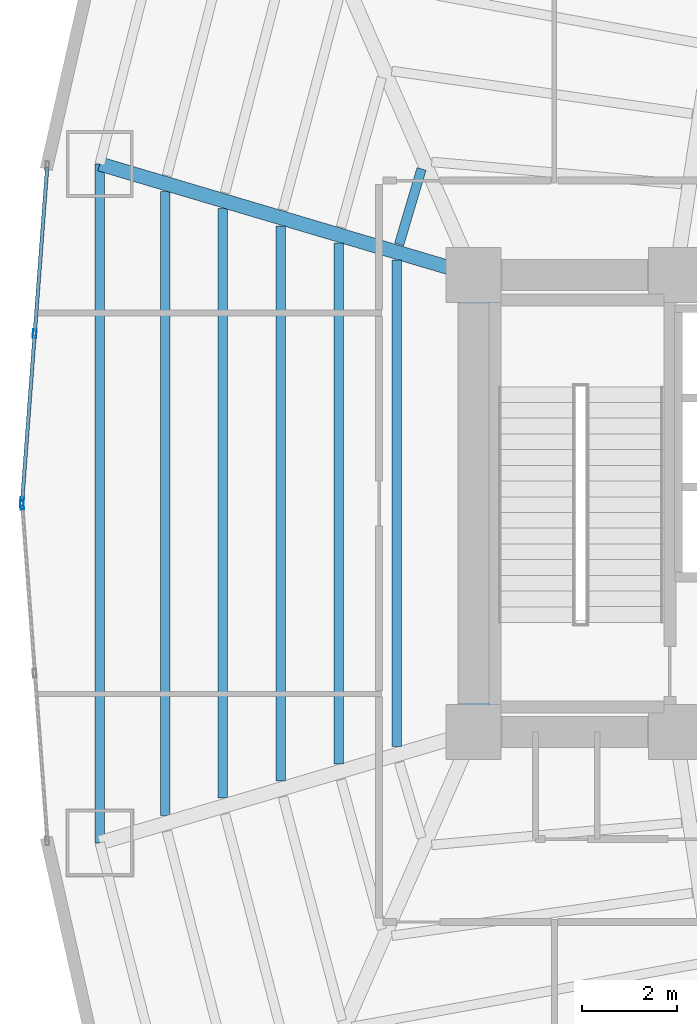
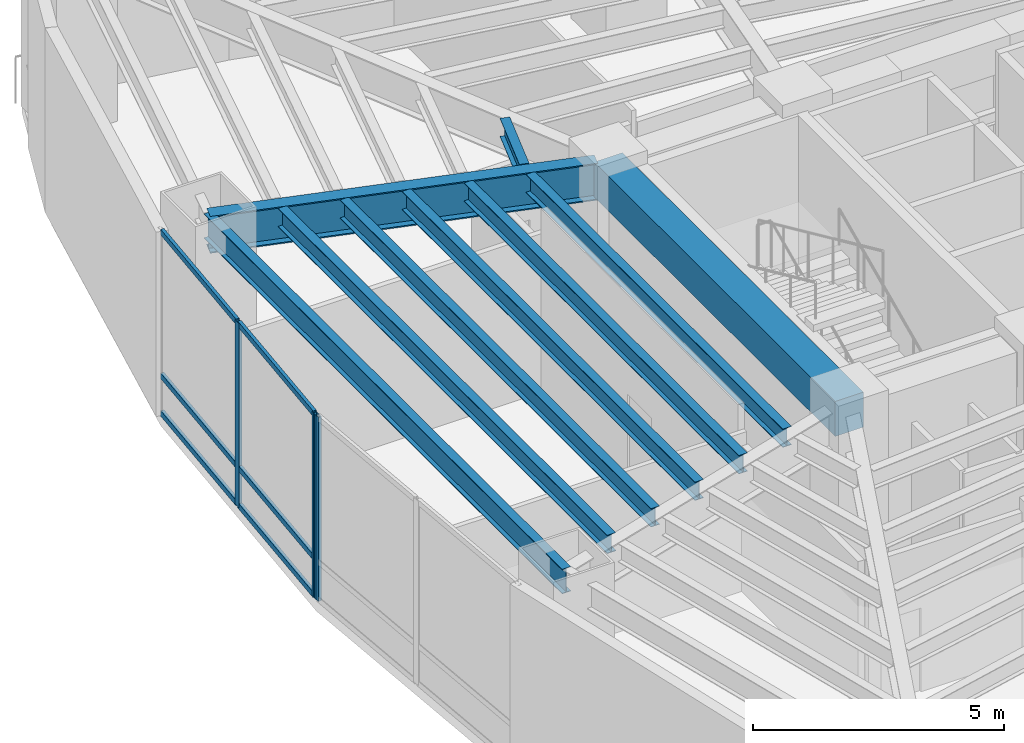
# One storey, part 7 of 18: 9 beams, 9 members, 2 elements without a shape of their own.
"""IFC4 building model written with IfcOpenShell, lengths in metres."""

from ifc_helpers import new_model, si_unit, direction, frame, origin, origin_2d, place, context, subcontext, project, spatial, rectangle, hollow_rectangle, i_section, extrude, material, layer, layer_set, material_profile, profile_set, type_object, element, aggregate, save


model = new_model("IFC4")

# Units and contexts
model_context = context("Model", 3, precision=1e-05, world=origin(), true_north=direction((0.0, 1.0)))
body_context = subcontext(model_context, "Body", "Model", "MODEL_VIEW")
ifc_project = project(units=[si_unit("LENGTHUNIT", "METRE"), si_unit("AREAUNIT", "SQUARE_METRE"), si_unit("VOLUMEUNIT", "CUBIC_METRE"), si_unit("PLANEANGLEUNIT", "RADIAN"), si_unit("MASSUNIT", "GRAM", prefix="KILO")], contexts=[model_context])

# Site, building, storey
site_placement = place(None, origin())
site = spatial("IfcSite", under=ifc_project, at=site_placement, CompositionType="ELEMENT")
building_placement = place(site_placement, origin())
building = spatial("IfcBuilding", under=site, at=building_placement, Name="Menara Vayukalpa", CompositionType="ELEMENT")
storey_placement = place(building_placement, frame((0.0, 0.0, 18.0)))
storey = spatial("IfcBuildingStorey", under=building, at=storey_placement, Name="L03", CompositionType="ELEMENT", Elevation=18.0)

# Beams
ifc_material_1 = material(Name="Concrete C60/75", Category="concrete")
ifc_material_profile_1 = material_profile(ifc_material_1, rectangle(XDim=0.64990234375, YDim=0.85009765625, at=origin_2d()), Name="RC 650x850")
ifc_profile_set_1 = profile_set([ifc_material_profile_1], Name="Concrete C60/75")
beam_type_1 = type_object("IfcBeamType", Name="BM-CB1", PredefinedType="BEAM", material=ifc_profile_set_1)
beam_1_placement = place(storey_placement, frame((17.800048828125, 17.199951171875, 4.054931640625), z_axis=(0.0, 1.0, 0.0), x_axis=(-1.0, 0.0, 0.0)))
element("IfcBeam", 1, at=beam_1_placement, inside=storey, type_object=beam_type_1, Name="L03 Core Tie Beam CBR7", PredefinedType="BEAM", context=body_context, shape_type="SweptSolid", body=[
    extrude(rectangle(XDim=0.64990234375, YDim=0.85009765625, at=origin_2d()), origin(), (0.0, 0.0, 1.0), 9.60009765625),
])
ifc_material_2 = material(Name="Steel S355", Category="steel")
ifc_material_profile_2 = material_profile(ifc_material_2, i_section(OverallWidth=0.300048828125, OverallDepth=0.89990234375, WebThickness=0.01611328125, FlangeThickness=0.028076171875, at=origin_2d()), Name="WF 900x300x16x28")
ifc_profile_set_2 = profile_set([ifc_material_profile_2], Name="Steel S355")
beam_type_2 = type_object("IfcBeamType", Name="BM-PG1", PredefinedType="BEAM", material=ifc_profile_set_2)
beam_2_placement = place(storey_placement, frame((17.560302734375, 26.87109375, 4.030029296875), z_axis=(-0.958678858065, 0.284490504409, 0.0), x_axis=(-0.284490504409, -0.958678858065, 0.0)))
element("IfcBeam", 2, at=beam_2_placement, inside=storey, type_object=beam_type_2, Name="L03 Primary Radial Girder RG05", PredefinedType="BEAM", context=body_context, shape_type="SweptSolid", body=[
    extrude(i_section(OverallWidth=0.300048828125, OverallDepth=0.89990234375, WebThickness=0.01611328125, FlangeThickness=0.028076171875, at=origin_2d()), origin(), (0.0, 0.0, 1.0), 7.936279296875),
])
ifc_material_3 = material(Name="Steel S355", Category="steel")
ifc_material_profile_3 = material_profile(ifc_material_3, i_section(OverallWidth=0.199951171875, OverallDepth=0.449951171875, WebThickness=0.009033203125, FlangeThickness=0.013916015625, at=origin_2d()), Name="WF 450x200x9x14")
ifc_profile_set_3 = profile_set([ifc_material_profile_3], Name="Steel S355")
beam_type_3 = type_object("IfcBeamType", Name="BM-SJ1", PredefinedType="JOIST", material=ifc_profile_set_3)
beam_3_placement = place(storey_placement, frame((16.70849609375, 29.0244140625, 4.2548828125), z_axis=(-0.284173863657, -0.958772765161, 0.0), x_axis=(0.958772765161, -0.284173863657, 0.0)))
element("IfcBeam", 3, at=beam_3_placement, inside=storey, type_object=beam_type_3, Name="L03 Secondary Floor Joist SJ04-1", PredefinedType="JOIST", context=body_context, shape_type="SweptSolid", body=[
    extrude(i_section(OverallWidth=0.199951171875, OverallDepth=0.449951171875, WebThickness=0.009033203125, FlangeThickness=0.013916015625, at=origin_2d()), origin(), (0.0, 0.0, 1.0), 1.652099609375),
])
beam_4_placement = place(storey_placement, frame((16.19091796875, 27.107421875, 4.2548828125), z_axis=(0.0, -1.0, 0.0), x_axis=(1.0, 0.0, 0.0)))
element("IfcBeam", 4, at=beam_4_placement, inside=storey, type_object=beam_type_3, Name="L03 Secondary Floor Joist SJ05-1", PredefinedType="JOIST", context=body_context, shape_type="SweptSolid", body=[
    extrude(i_section(OverallWidth=0.199951171875, OverallDepth=0.449951171875, WebThickness=0.009033203125, FlangeThickness=0.013916015625, at=origin_2d()), origin(), (0.0, 0.0, 1.0), 10.21484375),
])
beam_5_placement = place(storey_placement, frame((14.973388671875, 27.46875, 4.2548828125), z_axis=(0.0, -1.0, 0.0), x_axis=(1.0, 0.0, 0.0)))
element("IfcBeam", 5, at=beam_5_placement, inside=storey, type_object=beam_type_3, Name="L03 Secondary Floor Joist SJ05-2", PredefinedType="JOIST", context=body_context, shape_type="SweptSolid", body=[
    extrude(i_section(OverallWidth=0.199951171875, OverallDepth=0.449951171875, WebThickness=0.009033203125, FlangeThickness=0.013916015625, at=origin_2d()), origin(), (0.0, 0.0, 1.0), 10.9375),
])
beam_6_placement = place(storey_placement, frame((13.756103515625, 27.830078125, 4.2548828125), z_axis=(0.0, -1.0, 0.0), x_axis=(1.0, 0.0, 0.0)))
element("IfcBeam", 6, at=beam_6_placement, inside=storey, type_object=beam_type_3, Name="L03 Secondary Floor Joist SJ05-3", PredefinedType="JOIST", context=body_context, shape_type="SweptSolid", body=[
    extrude(i_section(OverallWidth=0.199951171875, OverallDepth=0.449951171875, WebThickness=0.009033203125, FlangeThickness=0.013916015625, at=origin_2d()), origin(), (0.0, 0.0, 1.0), 11.66015625),
])
beam_7_placement = place(storey_placement, frame((12.538818359375, 28.191162109375, 4.2548828125), z_axis=(0.0, -1.0, 0.0), x_axis=(1.0, 0.0, 0.0)))
element("IfcBeam", 7, at=beam_7_placement, inside=storey, type_object=beam_type_3, Name="L03 Secondary Floor Joist SJ05-4", PredefinedType="JOIST", context=body_context, shape_type="SweptSolid", body=[
    extrude(i_section(OverallWidth=0.199951171875, OverallDepth=0.449951171875, WebThickness=0.009033203125, FlangeThickness=0.013916015625, at=origin_2d()), origin(), (0.0, 0.0, 1.0), 12.38232421875),
])
beam_8_placement = place(storey_placement, frame((11.321533203125, 28.552490234375, 4.2548828125), z_axis=(0.0, -1.0, 0.0), x_axis=(1.0, 0.0, 0.0)))
element("IfcBeam", 8, at=beam_8_placement, inside=storey, type_object=beam_type_3, Name="L03 Secondary Floor Joist SJ05-5", PredefinedType="JOIST", context=body_context, shape_type="SweptSolid", body=[
    extrude(i_section(OverallWidth=0.199951171875, OverallDepth=0.449951171875, WebThickness=0.009033203125, FlangeThickness=0.013916015625, at=origin_2d()), origin(), (0.0, 0.0, 1.0), 13.10498046875),
])
ifc_material_4 = material(Name="Steel S355", Category="steel")
ifc_material_profile_4 = material_profile(ifc_material_4, i_section(OverallWidth=0.199951171875, OverallDepth=0.60009765625, WebThickness=0.010986328125, FlangeThickness=0.01708984375, at=origin_2d()), Name="WF 600x200x11x17")
ifc_profile_set_4 = profile_set([ifc_material_profile_4], Name="Steel S355")
beam_type_4 = type_object("IfcBeamType", Name="BM-SP1", PredefinedType="SPANDREL", material=ifc_profile_set_4)
beam_9_placement = place(storey_placement, frame((9.951904296875, 29.12890625, 4.179931640625), z_axis=(0.0, -1.0, 0.0), x_axis=(1.0, 0.0, 0.0)))
element("IfcBeam", 9, at=beam_9_placement, inside=storey, type_object=beam_type_4, Name="L03 Perimeter Spandrel Beam SP05", PredefinedType="SPANDREL", context=body_context, shape_type="SweptSolid", body=[
    extrude(i_section(OverallWidth=0.199951171875, OverallDepth=0.60009765625, WebThickness=0.010986328125, FlangeThickness=0.01708984375, at=origin_2d()), origin(), (0.0, 0.0, 1.0), 14.2578125),
])

# Curtain wall, members
ifc_material_5 = material(Name="Anodised Terracotta Aluminium Alloy 6063-T6", Category="masonry")
ifc_layer = layer(ifc_material_5, 0.179931640625)
ifc_layer_set = layer_set([ifc_layer], Name="Anodised Terracotta Aluminium Alloy 6063-T6")
curtain_wall_type = type_object("IfcCurtainWallType", Name="CW-CW1", PredefinedType="USERDEFINED", material=ifc_layer_set)
curtain_wall_1_placement = place(storey_placement, origin())
curtain_wall_1 = element("IfcCurtainWall", 10, at=curtain_wall_1_placement, inside=storey, type_object=curtain_wall_type, Name="L03 Podium Unitised Ribbon Curtain Wall CW1 10", ObjectType="UNITISED", PredefinedType="USERDEFINED")
ifc_material_6 = material(Name="Anodised Terracotta Aluminium Alloy 6063-T6", Category="masonry")
ifc_material_profile_5 = material_profile(ifc_material_6, hollow_rectangle(XDim=0.074951171875, YDim=0.179931640625, WallThickness=0.00390625, at=origin_2d()), Name="ALU 75x180x4")
ifc_profile_set_5 = profile_set([ifc_material_profile_5], Name="Anodised Terracotta Aluminium Alloy 6063-T6")
member_type_1 = type_object("IfcMemberType", Name="CWM-CW1", PredefinedType="MULLION", material=ifc_profile_set_5)
member_1_placement = place(storey_placement, frame((8.584716796875, 25.564453125, 0.0), z_axis=(0.0, 0.0, 1.0), x_axis=(0.997198970825, -0.074794468953, 0.0)))
member_1 = element("IfcMember", 11, at=member_1_placement, type_object=member_type_1, Name="CW1 mullion 2", PredefinedType="MULLION", context=body_context, shape_type="SweptSolid", body=[
    extrude(hollow_rectangle(XDim=0.074951171875, YDim=0.179931640625, WallThickness=0.00390625, at=origin_2d()), origin(), (0.0, 0.0, 1.0), 4.47998046875),
])
member_2_placement = place(storey_placement, frame((8.320068359375, 22.037353515625, 0.0), z_axis=(0.0, 0.0, 1.0), x_axis=(0.997198970825, -0.074794468953, 0.0)))
member_2 = element("IfcMember", 12, at=member_2_placement, type_object=member_type_1, Name="CW1 mullion 3", PredefinedType="MULLION", context=body_context, shape_type="SweptSolid", body=[
    extrude(hollow_rectangle(XDim=0.074951171875, YDim=0.179931640625, WallThickness=0.00390625, at=origin_2d()), origin(), (0.0, 0.0, 1.0), 4.47998046875),
])

# Curtain wall, member
curtain_wall_2_placement = place(storey_placement, origin())
curtain_wall_2 = element("IfcCurtainWall", 13, at=curtain_wall_2_placement, inside=storey, type_object=curtain_wall_type, Name="L03 Podium Unitised Ribbon Curtain Wall CW1 11", ObjectType="UNITISED", PredefinedType="USERDEFINED")
member_3_placement = place(storey_placement, frame((8.320068359375, 21.962646484375, 0.0), z_axis=(0.0, 0.0, 1.0), x_axis=(0.997198970825, 0.074794468953, 0.0)))
member_3 = element("IfcMember", 14, at=member_3_placement, type_object=member_type_1, Name="CW1 mullion 1", PredefinedType="MULLION", context=body_context, shape_type="SweptSolid", body=[
    extrude(hollow_rectangle(XDim=0.074951171875, YDim=0.179931640625, WallThickness=0.00390625, at=origin_2d()), origin(), (0.0, 0.0, 1.0), 4.47998046875),
])
aggregate(curtain_wall_2, [member_3])

# Member
ifc_material_7 = material(Name="Anodised Terracotta Aluminium Alloy 6063-T6", Category="masonry")
ifc_material_profile_6 = material_profile(ifc_material_7, hollow_rectangle(XDim=0.074951171875, YDim=0.135009765625, WallThickness=0.00390625, at=origin_2d()), Name="ALU 75x135x4")
ifc_profile_set_6 = profile_set([ifc_material_profile_6], Name="Anodised Terracotta Aluminium Alloy 6063-T6")
member_type_2 = type_object("IfcMemberType", Name="CWT-CW1", PredefinedType="USERDEFINED", material=ifc_profile_set_6)
member_4_placement = place(storey_placement, frame((8.846435546875, 29.05419921875, 0.03759765625), z_axis=(-0.07481975078, -0.99719707425, 0.0), x_axis=(0.99719707425, -0.07481975078, 0.0)))
member_4 = element("IfcMember", 15, at=member_4_placement, type_object=member_type_2, Name="CW1 transom 1.1", ObjectType="TRANSOM", PredefinedType="USERDEFINED", context=body_context, shape_type="SweptSolid", body=[
    extrude(hollow_rectangle(XDim=0.074951171875, YDim=0.135009765625, WallThickness=0.00390625, at=origin_2d()), origin(), (0.0, 0.0, 1.0), 3.462158203125),
])

member_5_placement = place(storey_placement, frame((8.846435546875, 29.05419921875, 0.949951171875), z_axis=(-0.07481975078, -0.99719707425, 0.0), x_axis=(0.99719707425, -0.07481975078, 0.0)))
member_5 = element("IfcMember", 16, at=member_5_placement, type_object=member_type_2, Name="CW1 transom 1.2", ObjectType="TRANSOM", PredefinedType="USERDEFINED", context=body_context, shape_type="SweptSolid", body=[
    extrude(hollow_rectangle(XDim=0.074951171875, YDim=0.135009765625, WallThickness=0.00390625, at=origin_2d()), origin(), (0.0, 0.0, 1.0), 3.462158203125),
])

member_6_placement = place(storey_placement, frame((8.846435546875, 29.05419921875, 4.4423828125), z_axis=(-0.07481975078, -0.99719707425, 0.0), x_axis=(0.99719707425, -0.07481975078, 0.0)))
member_6 = element("IfcMember", 17, at=member_6_placement, type_object=member_type_2, Name="CW1 transom 1.3", ObjectType="TRANSOM", PredefinedType="USERDEFINED", context=body_context, shape_type="SweptSolid", body=[
    extrude(hollow_rectangle(XDim=0.074951171875, YDim=0.135009765625, WallThickness=0.00390625, at=origin_2d()), origin(), (0.0, 0.0, 1.0), 3.462158203125),
])

member_7_placement = place(storey_placement, frame((8.581787109375, 25.527099609375, 0.03759765625), z_axis=(-0.074749626841, -0.997202333174, 0.0), x_axis=(0.997202333174, -0.074749626841, 0.0)))
member_7 = element("IfcMember", 18, at=member_7_placement, type_object=member_type_2, Name="CW1 transom 2.1", ObjectType="TRANSOM", PredefinedType="USERDEFINED", context=body_context, shape_type="SweptSolid", body=[
    extrude(hollow_rectangle(XDim=0.074951171875, YDim=0.135009765625, WallThickness=0.00390625, at=origin_2d()), origin(), (0.0, 0.0, 1.0), 3.462158203125),
])

member_8_placement = place(storey_placement, frame((8.581787109375, 25.527099609375, 0.949951171875), z_axis=(-0.074749626841, -0.997202333174, 0.0), x_axis=(0.997202333174, -0.074749626841, 0.0)))
member_8 = element("IfcMember", 19, at=member_8_placement, type_object=member_type_2, Name="CW1 transom 2.2", ObjectType="TRANSOM", PredefinedType="USERDEFINED", context=body_context, shape_type="SweptSolid", body=[
    extrude(hollow_rectangle(XDim=0.074951171875, YDim=0.135009765625, WallThickness=0.00390625, at=origin_2d()), origin(), (0.0, 0.0, 1.0), 3.462158203125),
])

member_9_placement = place(storey_placement, frame((8.581787109375, 25.527099609375, 4.4423828125), z_axis=(-0.074749626841, -0.997202333174, 0.0), x_axis=(0.997202333174, -0.074749626841, 0.0)))
member_9 = element("IfcMember", 20, at=member_9_placement, type_object=member_type_2, Name="CW1 transom 2.3", ObjectType="TRANSOM", PredefinedType="USERDEFINED", context=body_context, shape_type="SweptSolid", body=[
    extrude(hollow_rectangle(XDim=0.074951171875, YDim=0.135009765625, WallThickness=0.00390625, at=origin_2d()), origin(), (0.0, 0.0, 1.0), 3.462158203125),
])

aggregate(curtain_wall_1, [member_1, member_2, member_4, member_5, member_6, member_7, member_8, member_9])

save(model, "model.ifc")
